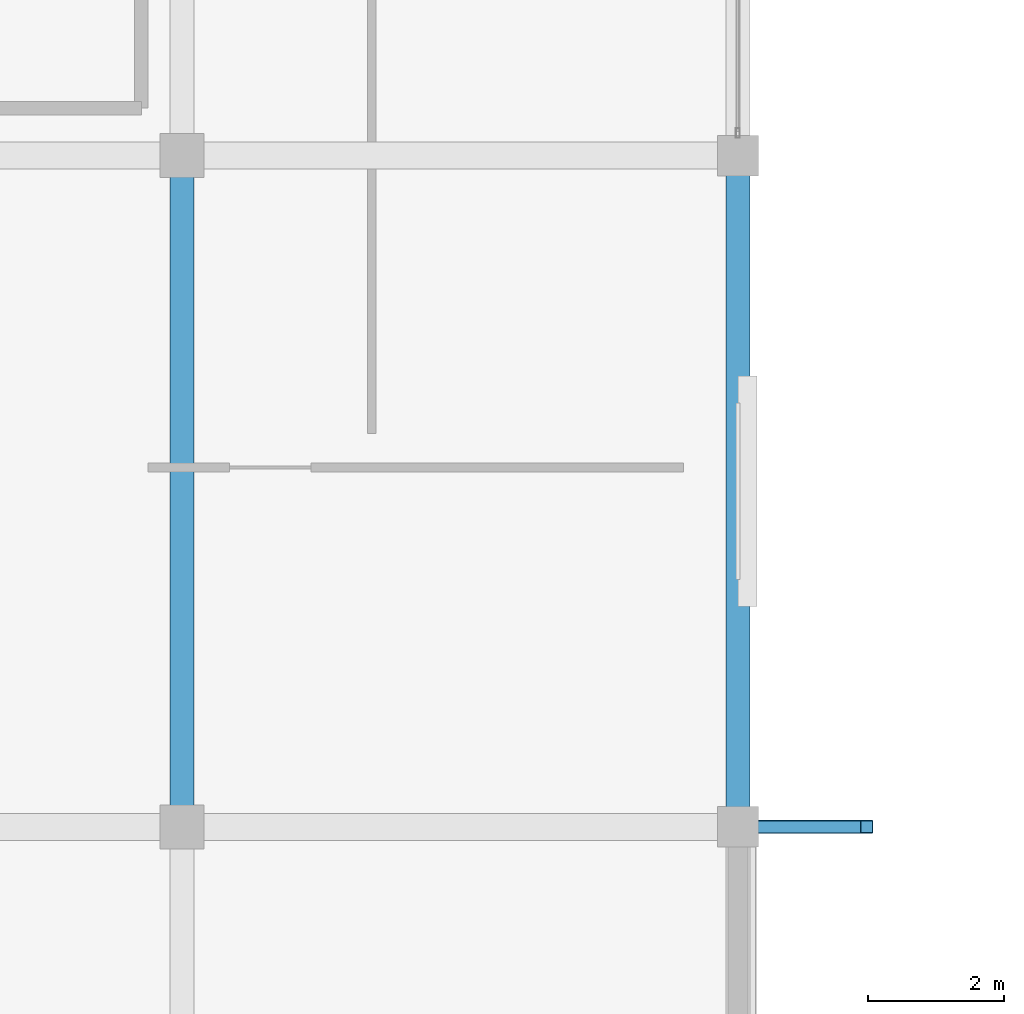
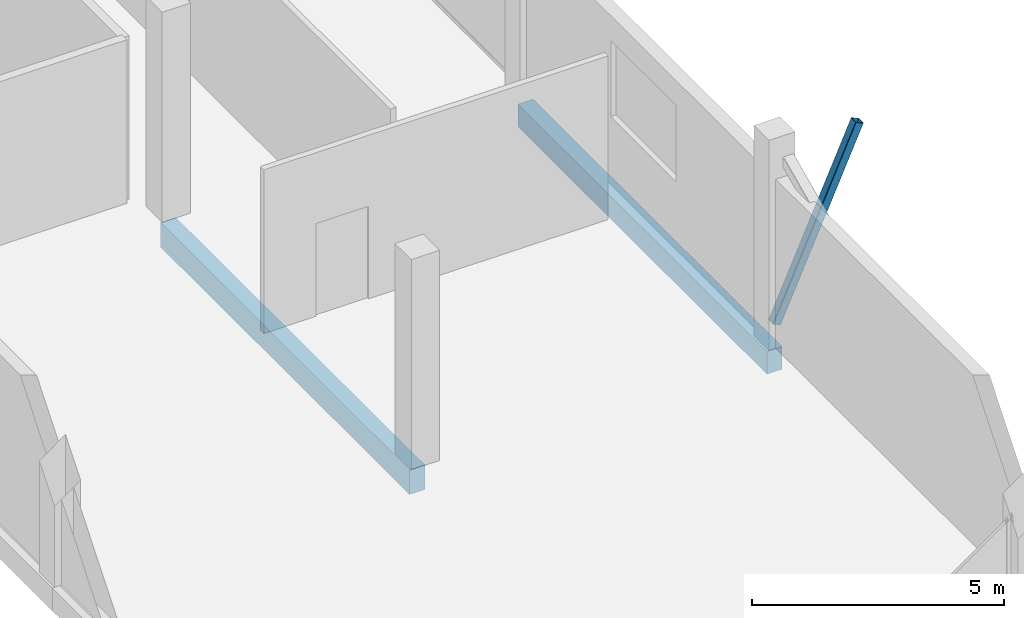
# One storey, part 11 of 58: 2 beams, 1 member.
"""IFC4 building model written with IfcOpenShell, lengths in metres."""

from ifc_helpers import new_model, si_unit, direction, frame, origin, origin_2d, place, context, subcontext, project, spatial, rectangle, hollow_rectangle, extrude, material, material_profile, profile_set, type_object, element, save


model = new_model("IFC4")

# Units and contexts
model_context = context("Model", 3, precision=1e-05, world=origin(), true_north=direction((0.0, 1.0)))
body_context = subcontext(model_context, "Body", "Model", "MODEL_VIEW")
ifc_project = project(units=[si_unit("LENGTHUNIT", "METRE"), si_unit("AREAUNIT", "SQUARE_METRE"), si_unit("VOLUMEUNIT", "CUBIC_METRE"), si_unit("PLANEANGLEUNIT", "RADIAN"), si_unit("MASSUNIT", "GRAM", prefix="KILO")], contexts=[model_context])

# Site, building, storey
site_placement = place(None, origin())
site = spatial("IfcSite", under=ifc_project, at=site_placement, CompositionType="ELEMENT")
building_placement = place(site_placement, origin())
building = spatial("IfcBuilding", under=site, at=building_placement, Name="Sillaruma Civic Art Gallery", CompositionType="ELEMENT")
storey_placement = place(building_placement, frame((0.0, 0.0, 52.02001953125)))
storey = spatial("IfcBuildingStorey", under=building, at=storey_placement, Name="L10", CompositionType="ELEMENT", Elevation=52.02001953125)

# Beams
ifc_material_1 = material(Name="Concrete H35 (35 MPa)", Category="concrete")
ifc_material_profile_1 = material_profile(ifc_material_1, rectangle(XDim=0.35009765625, YDim=0.60009765625, at=origin_2d()), Name="RCB350x600")
ifc_profile_set_1 = profile_set([ifc_material_profile_1], Name="Concrete H35 (35 MPa)")
beam_type_1 = type_object("IfcBeamType", Name="BM-BEAM-RCB350x600", PredefinedType="BEAM", material=ifc_profile_set_1)
beam_1_placement = place(storey_placement, frame((106.199951171875, 29.699951171875, -0.550048828125), z_axis=(0.0, 1.0, 0.0), x_axis=(-1.0, 0.0, 0.0)))
element("IfcBeam", 1, at=beam_1_placement, inside=storey, type_object=beam_type_1, Name="Beam BM-06 (L09:M:4-5)", PredefinedType="BEAM", context=body_context, shape_type="SweptSolid", body=[
    extrude(rectangle(XDim=0.35009765625, YDim=0.60009765625, at=origin_2d()), origin(), (0.0, 0.0, 1.0), 9.900146484375),
])
ifc_material_profile_2 = material_profile(ifc_material_1, rectangle(XDim=0.35009765625, YDim=0.550048828125, at=origin_2d()), Name="RCB350x550")
ifc_profile_set_2 = profile_set([ifc_material_profile_2], Name="Concrete H35 (35 MPa)")
beam_type_2 = type_object("IfcBeamType", Name="BM-SPANDREL-RCB350x550", PredefinedType="SPANDREL", material=ifc_profile_set_2)
beam_2_placement = place(storey_placement, frame((114.39990234375, 29.699951171875, -0.52490234375), z_axis=(0.0, 1.0, 0.0), x_axis=(-1.0, 0.0, 0.0)))
element("IfcBeam", 2, at=beam_2_placement, inside=storey, type_object=beam_type_2, Name="Beam BS-04 (L09:N:4-5)", PredefinedType="SPANDREL", context=body_context, shape_type="SweptSolid", body=[
    extrude(rectangle(XDim=0.35009765625, YDim=0.550048828125, at=origin_2d()), origin(), (0.0, 0.0, 1.0), 9.900146484375),
])

# Member
ifc_material_2 = material(Name="Structural Steel ASTM A500 Gr.C", Category="steel")
ifc_material_profile_3 = material_profile(ifc_material_2, hollow_rectangle(XDim=0.199951171875, YDim=0.199951171875, WallThickness=0.010009765625, InnerFilletRadius=0.010009765625, OuterFilletRadius=0.02001953125, at=origin_2d()), Name="HSS200x200x10")
ifc_profile_set_3 = profile_set([ifc_material_profile_3], Name="Structural Steel ASTM A500 Gr.C")
member_type = type_object("IfcMemberType", Name="MEM-PROW-BRACE", PredefinedType="BRACE", material=ifc_profile_set_3)
member_placement = place(storey_placement, frame((114.39990234375, 29.699951171875, 0.39990234375), z_axis=(0.409391166815, 0.0, 0.912358960351), x_axis=(0.0, 1.0, 0.0)))
element("IfcMember", 3, at=member_placement, inside=storey, type_object=member_type, Name="Deconstructivist Prow Diagonal Brace (PRW-L11-E-FLR-S)", PredefinedType="BRACE", context=body_context, shape_type="SweptSolid", body=[
    extrude(hollow_rectangle(XDim=0.199951171875, YDim=0.199951171875, WallThickness=0.010009765625, InnerFilletRadius=0.010009765625, OuterFilletRadius=0.02001953125, at=origin_2d()), origin(), (0.0, 0.0, 1.0), 4.641357421875),
])

save(model, "model.ifc")
